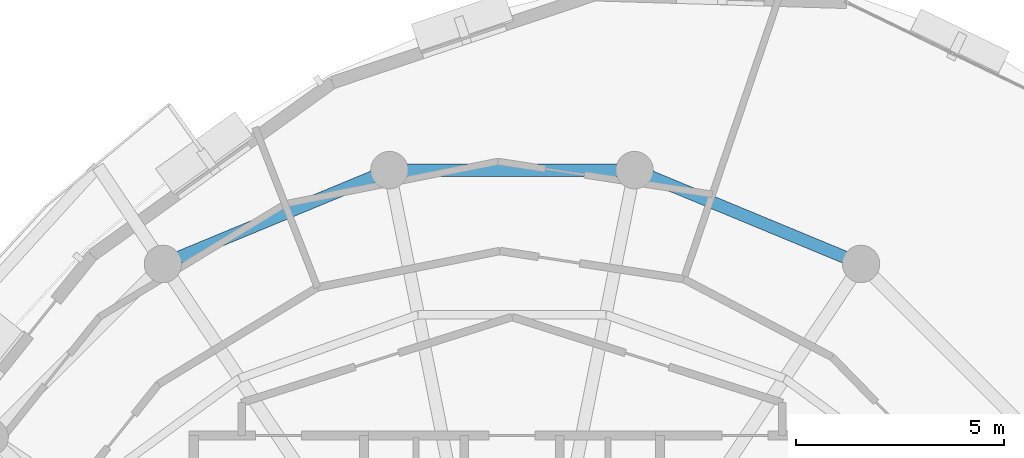
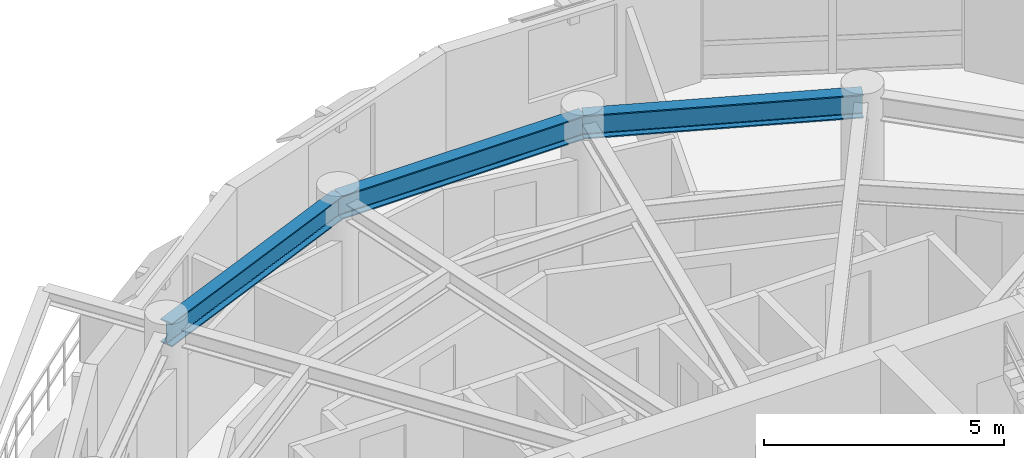
# One storey, part 4 of 11: 3 beams.
"""IFC4 building model written with IfcOpenShell, lengths in metres."""

from ifc_helpers import new_model, si_unit, direction, frame, origin, origin_2d, place, context, subcontext, project, spatial, i_section, extrude, material, material_profile, profile_set, type_object, element, save


model = new_model("IFC4")

# Units and contexts
model_context = context("Model", 3, precision=1e-05, world=origin(), true_north=direction((0.0, 1.0)))
body_context = subcontext(model_context, "Body", "Model", "MODEL_VIEW")
ifc_project = project(units=[si_unit("LENGTHUNIT", "METRE"), si_unit("AREAUNIT", "SQUARE_METRE"), si_unit("VOLUMEUNIT", "CUBIC_METRE"), si_unit("PLANEANGLEUNIT", "RADIAN"), si_unit("MASSUNIT", "GRAM", prefix="KILO"), si_unit("THERMODYNAMICTEMPERATUREUNIT", "KELVIN"), si_unit("POWERUNIT", "WATT")], contexts=[model_context])

# Site, building, storey
site_placement = place(None, origin())
site = spatial("IfcSite", under=ifc_project, at=site_placement, CompositionType="ELEMENT")
building_placement = place(site_placement, origin())
building = spatial("IfcBuilding", under=site, at=building_placement, Name="Ocrelia Relay Tower", CompositionType="ELEMENT")
storey_placement = place(building_placement, frame((0.0, 0.0, 244.800048828125)))
storey = spatial("IfcBuildingStorey", under=building, at=storey_placement, Name="L60", CompositionType="ELEMENT", Elevation=244.800048828125)

# Beams
ifc_material = material(Name="Steel S355", Category="steel")
ifc_material_profile = material_profile(ifc_material, i_section(OverallWidth=0.300048828125, OverallDepth=0.60009765625, WebThickness=0.015380859375, FlangeThickness=0.030029296875, FilletRadius=0.027099609375, at=origin_2d()), Name="HEB 600")
ifc_profile_set = profile_set([ifc_material_profile], Name="Steel S355")
beam_type = type_object("IfcBeamType", Name="BM-HEB600", PredefinedType="BEAM", material=ifc_profile_set)
beam_1_placement = place(storey_placement, frame((42.38916015625, 38.55517578125, 3.079833984375), z_axis=(-0.923884009374, 0.382672624084, 0.0), x_axis=(-0.382672624084, -0.923884009374, 0.0)))
element("IfcBeam", 1, at=beam_1_placement, inside=storey, type_object=beam_type, Name="L60 Perimeter Spandrel Beam S03", PredefinedType="BEAM", context=body_context, shape_type="SweptSolid", body=[
    extrude(i_section(OverallWidth=0.300048828125, OverallDepth=0.60009765625, WebThickness=0.015380859375, FlangeThickness=0.030029296875, FilletRadius=0.027099609375, at=origin_2d()), origin(), (0.0, 0.0, 1.0), 5.891845703125),
])
beam_2_placement = place(storey_placement, frame((36.94580078125, 40.809814453125, 3.079833984375), z_axis=(-1.0, 0.0, 0.0), x_axis=(0.0, -1.0, 0.0)))
element("IfcBeam", 2, at=beam_2_placement, inside=storey, type_object=beam_type, Name="L60 Perimeter Spandrel Beam S04", PredefinedType="BEAM", context=body_context, shape_type="SweptSolid", body=[
    extrude(i_section(OverallWidth=0.300048828125, OverallDepth=0.60009765625, WebThickness=0.015380859375, FlangeThickness=0.030029296875, FilletRadius=0.027099609375, at=origin_2d()), origin(), (0.0, 0.0, 1.0), 5.8916015625),
])
beam_3_placement = place(storey_placement, frame((31.05419921875, 40.809814453125, 3.079833984375), z_axis=(-0.923884009374, -0.382672624084, 0.0), x_axis=(0.382672624084, -0.923884009374, 0.0)))
element("IfcBeam", 3, at=beam_3_placement, inside=storey, type_object=beam_type, Name="L60 Perimeter Spandrel Beam S05", PredefinedType="BEAM", context=body_context, shape_type="SweptSolid", body=[
    extrude(i_section(OverallWidth=0.300048828125, OverallDepth=0.60009765625, WebThickness=0.015380859375, FlangeThickness=0.030029296875, FilletRadius=0.027099609375, at=origin_2d()), origin(), (0.0, 0.0, 1.0), 5.891845703125),
])

save(model, "model.ifc")
